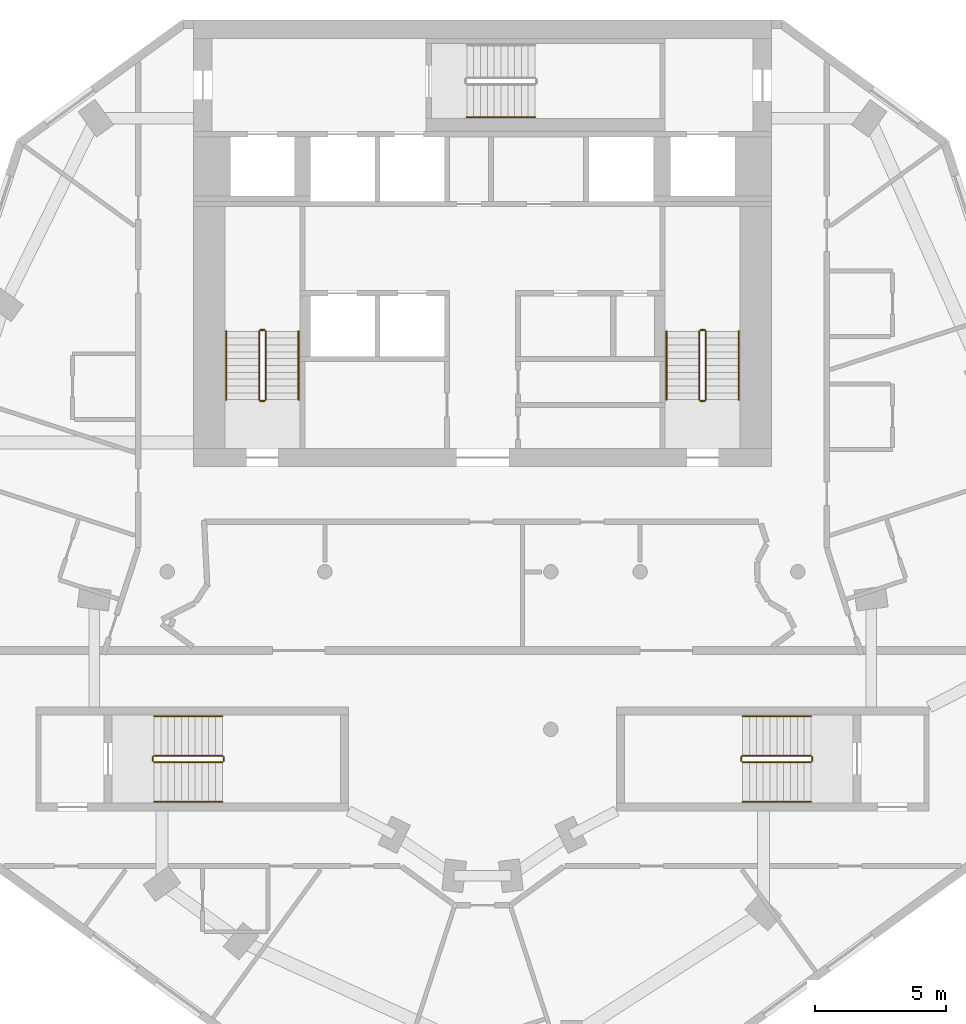
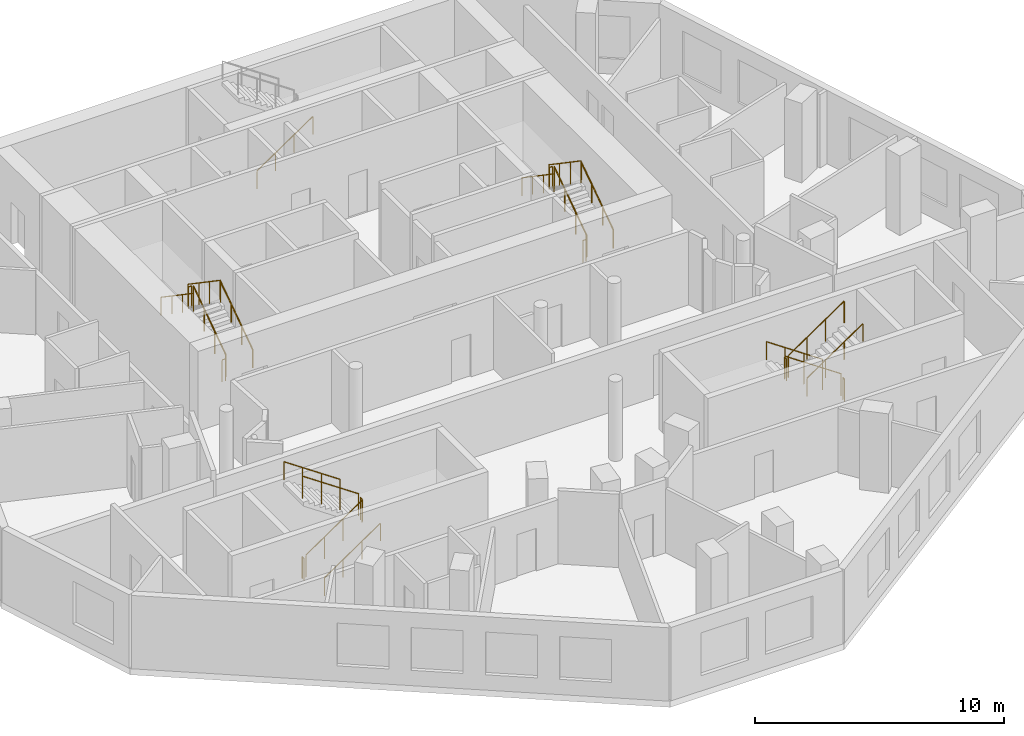
# One storey, part 8 of 9: 25 railings.
"""IFC4 building model written with IfcOpenShell, lengths in metres."""

from ifc_helpers import new_model, si_unit, direction, frame, origin, origin_2d, place, context, subcontext, project, spatial, circle, extrude, material, type_object, element, save


model = new_model("IFC4")

# Units and contexts
model_context = context("Model", 3, precision=1e-05, world=origin(), true_north=direction((0.0, 1.0)))
body_context = subcontext(model_context, "Body", "Model", "MODEL_VIEW")
ifc_project = project(units=[si_unit("LENGTHUNIT", "METRE"), si_unit("AREAUNIT", "SQUARE_METRE"), si_unit("VOLUMEUNIT", "CUBIC_METRE"), si_unit("PLANEANGLEUNIT", "RADIAN"), si_unit("MASSUNIT", "GRAM", prefix="KILO")], contexts=[model_context])

# Site, building, storey
site_placement = place(None, origin())
site = spatial("IfcSite", under=ifc_project, at=site_placement, CompositionType="ELEMENT")
building_placement = place(site_placement, origin())
building = spatial("IfcBuilding", under=site, at=building_placement, Name="White Candle Pilgrim Tower", CompositionType="ELEMENT")
storey_placement = place(building_placement, frame((0.0, 0.0, 256.10009765625)))
storey = spatial("IfcBuildingStorey", under=building, at=storey_placement, Name="L60", CompositionType="ELEMENT", Elevation=256.10009765625)

# Railings
ifc_material = material(Name="Stainless steel", Category="steel")
railing_type_1 = type_object("IfcRailingType", Name="Stair guard stainless steel 1100 mm", PredefinedType="GUARDRAIL", material=ifc_material)
railing_1_placement = place(storey_placement, frame((61.75, 73.550048828125, 0.17724609375)))
element("IfcRailing", 1, at=railing_1_placement, inside=storey, type_object=railing_type_1, Name="L60 ST1 stair guard 1", PredefinedType="GUARDRAIL", context=body_context, shape_type="SweptSolid", body=[
    extrude(circle(Radius=0.02392578125, at=origin_2d()), frame((0.0, 0.0, 1.076171875), z_axis=(0.0, 0.826215852431, 0.563353676824), x_axis=(-1.0, 0.0, 0.0)), (0.0, 0.0, 1.0), 3.146728515625),
    extrude(circle(Radius=0.02099609375, at=origin_2d()), origin(), (0.0, 0.0, 1.0), 1.052001953125),
    extrude(circle(Radius=0.02099609375, at=origin_2d()), frame((0.0, 0.86669921875, 0.5908203125)), (0.0, 0.0, 1.0), 1.052001953125),
    extrude(circle(Radius=0.02099609375, at=origin_2d()), frame((0.0, 1.733154296875, 1.181884765625)), (0.0, 0.0, 1.0), 1.052001953125),
    extrude(circle(Radius=0.02099609375, at=origin_2d()), frame((0.0, 2.599853515625, 1.772705078125)), (0.0, 0.0, 1.0), 1.052001953125),
])
railing_2_placement = place(storey_placement, frame((61.699951171875, 76.199951171875, 1.949951171875)))
element("IfcRailing", 2, at=railing_2_placement, inside=storey, type_object=railing_type_1, Name="L60 ST1 stair guard 2", PredefinedType="GUARDRAIL", context=body_context, shape_type="SweptSolid", body=[
    extrude(circle(Radius=0.02392578125, at=origin_2d()), frame((0.0, 0.0, 1.076171875), z_axis=(-1.0, 0.0, 0.0), x_axis=(0.0, -1.0, 0.0)), (0.0, 0.0, 1.0), 0.14990234375),
    extrude(circle(Radius=0.02099609375, at=origin_2d()), origin(), (0.0, 0.0, 1.0), 1.052001953125),
    extrude(circle(Radius=0.02099609375, at=origin_2d()), frame((-0.14990234375, 0.0, 0.0)), (0.0, 0.0, 1.0), 1.052001953125),
])
railing_3_placement = place(storey_placement, frame((61.5, 76.14990234375, 2.127197265625)))
element("IfcRailing", 3, at=railing_3_placement, inside=storey, type_object=railing_type_1, Name="L60 ST1 stair guard 3", PredefinedType="GUARDRAIL", context=body_context, shape_type="SweptSolid", body=[
    extrude(circle(Radius=0.02392578125, at=origin_2d()), frame((0.0, 0.0, 1.076171875), z_axis=(0.0, -0.826215852431, 0.563353676824), x_axis=(1.0, 0.0, 0.0)), (0.0, 0.0, 1.0), 3.146728515625),
    extrude(circle(Radius=0.02099609375, at=origin_2d()), origin(), (0.0, 0.0, 1.0), 1.052001953125),
    extrude(circle(Radius=0.02099609375, at=origin_2d()), frame((0.0, -0.86669921875, 0.5908203125)), (0.0, 0.0, 1.0), 1.052001953125),
    extrude(circle(Radius=0.02099609375, at=origin_2d()), frame((0.0, -1.733154296875, 1.181884765625)), (0.0, 0.0, 1.0), 1.052001953125),
    extrude(circle(Radius=0.02099609375, at=origin_2d()), frame((0.0, -2.599853515625, 1.772705078125)), (0.0, 0.0, 1.0), 1.052001953125),
])
railing_4_placement = place(storey_placement, frame((61.699951171875, 73.5, 0.0)))
element("IfcRailing", 4, at=railing_4_placement, inside=storey, type_object=railing_type_1, Name="L60 ST1 stair guard 4", PredefinedType="GUARDRAIL", context=body_context, shape_type="SweptSolid", body=[
    extrude(circle(Radius=0.02392578125, at=origin_2d()), frame((0.0, 0.0, 1.076171875), z_axis=(-1.0, 0.0, 0.0), x_axis=(0.0, -1.0, 0.0)), (0.0, 0.0, 1.0), 0.14990234375),
    extrude(circle(Radius=0.02099609375, at=origin_2d()), origin(), (0.0, 0.0, 1.0), 1.052001953125),
    extrude(circle(Radius=0.02099609375, at=origin_2d()), frame((-0.14990234375, 0.0, 0.0)), (0.0, 0.0, 1.0), 1.052001953125),
])
railing_5_placement = place(storey_placement, frame((78.5, 73.550048828125, 0.17724609375)))
element("IfcRailing", 5, at=railing_5_placement, inside=storey, type_object=railing_type_1, Name="L60 ST2 stair guard 1", PredefinedType="GUARDRAIL", context=body_context, shape_type="SweptSolid", body=[
    extrude(circle(Radius=0.02392578125, at=origin_2d()), frame((0.0, 0.0, 1.076171875), z_axis=(0.0, 0.826215852431, 0.563353676824), x_axis=(-1.0, 0.0, 0.0)), (0.0, 0.0, 1.0), 3.146728515625),
    extrude(circle(Radius=0.02099609375, at=origin_2d()), origin(), (0.0, 0.0, 1.0), 1.052001953125),
    extrude(circle(Radius=0.02099609375, at=origin_2d()), frame((0.0, 0.86669921875, 0.5908203125)), (0.0, 0.0, 1.0), 1.052001953125),
    extrude(circle(Radius=0.02099609375, at=origin_2d()), frame((0.0, 1.733154296875, 1.181884765625)), (0.0, 0.0, 1.0), 1.052001953125),
    extrude(circle(Radius=0.02099609375, at=origin_2d()), frame((0.0, 2.599853515625, 1.772705078125)), (0.0, 0.0, 1.0), 1.052001953125),
])
railing_6_placement = place(storey_placement, frame((78.449951171875, 76.199951171875, 1.949951171875)))
element("IfcRailing", 6, at=railing_6_placement, inside=storey, type_object=railing_type_1, Name="L60 ST2 stair guard 2", PredefinedType="GUARDRAIL", context=body_context, shape_type="SweptSolid", body=[
    extrude(circle(Radius=0.02392578125, at=origin_2d()), frame((0.0, 0.0, 1.076171875), z_axis=(-1.0, 0.0, 0.0), x_axis=(0.0, -1.0, 0.0)), (0.0, 0.0, 1.0), 0.14990234375),
    extrude(circle(Radius=0.02099609375, at=origin_2d()), origin(), (0.0, 0.0, 1.0), 1.052001953125),
    extrude(circle(Radius=0.02099609375, at=origin_2d()), frame((-0.14990234375, 0.0, 0.0)), (0.0, 0.0, 1.0), 1.052001953125),
])
railing_7_placement = place(storey_placement, frame((78.25, 76.14990234375, 2.127197265625)))
element("IfcRailing", 7, at=railing_7_placement, inside=storey, type_object=railing_type_1, Name="L60 ST2 stair guard 3", PredefinedType="GUARDRAIL", context=body_context, shape_type="SweptSolid", body=[
    extrude(circle(Radius=0.02392578125, at=origin_2d()), frame((0.0, 0.0, 1.076171875), z_axis=(0.0, -0.826215852431, 0.563353676824), x_axis=(1.0, 0.0, 0.0)), (0.0, 0.0, 1.0), 3.146728515625),
    extrude(circle(Radius=0.02099609375, at=origin_2d()), origin(), (0.0, 0.0, 1.0), 1.052001953125),
    extrude(circle(Radius=0.02099609375, at=origin_2d()), frame((0.0, -0.86669921875, 0.5908203125)), (0.0, 0.0, 1.0), 1.052001953125),
    extrude(circle(Radius=0.02099609375, at=origin_2d()), frame((0.0, -1.733154296875, 1.181884765625)), (0.0, 0.0, 1.0), 1.052001953125),
    extrude(circle(Radius=0.02099609375, at=origin_2d()), frame((0.0, -2.599853515625, 1.772705078125)), (0.0, 0.0, 1.0), 1.052001953125),
])
railing_8_placement = place(storey_placement, frame((78.449951171875, 73.5, 0.0)))
element("IfcRailing", 8, at=railing_8_placement, inside=storey, type_object=railing_type_1, Name="L60 ST2 stair guard 4", PredefinedType="GUARDRAIL", context=body_context, shape_type="SweptSolid", body=[
    extrude(circle(Radius=0.02392578125, at=origin_2d()), frame((0.0, 0.0, 1.076171875), z_axis=(-1.0, 0.0, 0.0), x_axis=(0.0, -1.0, 0.0)), (0.0, 0.0, 1.0), 0.14990234375),
    extrude(circle(Radius=0.02099609375, at=origin_2d()), origin(), (0.0, 0.0, 1.0), 1.052001953125),
    extrude(circle(Radius=0.02099609375, at=origin_2d()), frame((-0.14990234375, 0.0, 0.0)), (0.0, 0.0, 1.0), 1.052001953125),
])
railing_9_placement = place(storey_placement, frame((82.5, 60.0, 0.17724609375)))
element("IfcRailing", 9, at=railing_9_placement, inside=storey, type_object=railing_type_1, Name="L60 ST4 stair guard 1", PredefinedType="GUARDRAIL", context=body_context, shape_type="SweptSolid", body=[
    extrude(circle(Radius=0.02392578125, at=origin_2d()), frame((0.0, 0.0, 1.076171875), z_axis=(-0.826240473404, 0.0, 0.563317565952), x_axis=(0.0, -1.0, 0.0)), (0.0, 0.0, 1.0), 3.14697265625),
    extrude(circle(Radius=0.02099609375, at=origin_2d()), origin(), (0.0, 0.0, 1.0), 1.052001953125),
    extrude(circle(Radius=0.02099609375, at=origin_2d()), frame((-0.86669921875, 0.0, 0.5908203125)), (0.0, 0.0, 1.0), 1.052001953125),
    extrude(circle(Radius=0.02099609375, at=origin_2d()), frame((-1.7333984375, 0.0, 1.181884765625)), (0.0, 0.0, 1.0), 1.052001953125),
    extrude(circle(Radius=0.02099609375, at=origin_2d()), frame((-2.60009765625, 0.0, 1.772705078125)), (0.0, 0.0, 1.0), 1.052001953125),
])
railing_10_placement = place(storey_placement, frame((79.85009765625, 59.949951171875, 1.949951171875)))
element("IfcRailing", 10, at=railing_10_placement, inside=storey, type_object=railing_type_1, Name="L60 ST4 stair guard 2", PredefinedType="GUARDRAIL", context=body_context, shape_type="SweptSolid", body=[
    extrude(circle(Radius=0.02392578125, at=origin_2d()), frame((0.0, 0.0, 1.076171875), z_axis=(0.0, -1.0, 0.0), x_axis=(1.0, 0.0, 0.0)), (0.0, 0.0, 1.0), 0.14990234375),
    extrude(circle(Radius=0.02099609375, at=origin_2d()), origin(), (0.0, 0.0, 1.0), 1.052001953125),
    extrude(circle(Radius=0.02099609375, at=origin_2d()), frame((0.0, -0.14990234375, 0.0)), (0.0, 0.0, 1.0), 1.052001953125),
])
railing_11_placement = place(storey_placement, frame((79.89990234375, 59.75, 2.127197265625)))
element("IfcRailing", 11, at=railing_11_placement, inside=storey, type_object=railing_type_1, Name="L60 ST4 stair guard 3", PredefinedType="GUARDRAIL", context=body_context, shape_type="SweptSolid", body=[
    extrude(circle(Radius=0.02392578125, at=origin_2d()), frame((0.0, 0.0, 1.076171875), z_axis=(0.826240473404, 0.0, 0.563317565952), x_axis=(0.0, 1.0, 0.0)), (0.0, 0.0, 1.0), 3.14697265625),
    extrude(circle(Radius=0.02099609375, at=origin_2d()), origin(), (0.0, 0.0, 1.0), 1.052001953125),
    extrude(circle(Radius=0.02099609375, at=origin_2d()), frame((0.86669921875, 0.0, 0.5908203125)), (0.0, 0.0, 1.0), 1.052001953125),
    extrude(circle(Radius=0.02099609375, at=origin_2d()), frame((1.7333984375, 0.0, 1.181884765625)), (0.0, 0.0, 1.0), 1.052001953125),
    extrude(circle(Radius=0.02099609375, at=origin_2d()), frame((2.60009765625, 0.0, 1.772705078125)), (0.0, 0.0, 1.0), 1.052001953125),
])
railing_12_placement = place(storey_placement, frame((82.550048828125, 59.949951171875, 0.0)))
element("IfcRailing", 12, at=railing_12_placement, inside=storey, type_object=railing_type_1, Name="L60 ST4 stair guard 4", PredefinedType="GUARDRAIL", context=body_context, shape_type="SweptSolid", body=[
    extrude(circle(Radius=0.02392578125, at=origin_2d()), frame((0.0, 0.0, 1.076171875), z_axis=(0.0, -1.0, 0.0), x_axis=(1.0, 0.0, 0.0)), (0.0, 0.0, 1.0), 0.14990234375),
    extrude(circle(Radius=0.02099609375, at=origin_2d()), origin(), (0.0, 0.0, 1.0), 1.052001953125),
    extrude(circle(Radius=0.02099609375, at=origin_2d()), frame((0.0, -0.14990234375, 0.0)), (0.0, 0.0, 1.0), 1.052001953125),
])
railing_13_placement = place(storey_placement, frame((57.5, 59.75, 0.17724609375)))
element("IfcRailing", 13, at=railing_13_placement, inside=storey, type_object=railing_type_1, Name="L60 ST5 stair guard 1", PredefinedType="GUARDRAIL", context=body_context, shape_type="SweptSolid", body=[
    extrude(circle(Radius=0.02392578125, at=origin_2d()), frame((0.0, 0.0, 1.076171875), z_axis=(0.826240473404, 0.0, 0.563317565952), x_axis=(0.0, 1.0, 0.0)), (0.0, 0.0, 1.0), 3.14697265625),
    extrude(circle(Radius=0.02099609375, at=origin_2d()), origin(), (0.0, 0.0, 1.0), 1.052001953125),
    extrude(circle(Radius=0.02099609375, at=origin_2d()), frame((0.86669921875, 0.0, 0.5908203125)), (0.0, 0.0, 1.0), 1.052001953125),
    extrude(circle(Radius=0.02099609375, at=origin_2d()), frame((1.7333984375, 0.0, 1.181884765625)), (0.0, 0.0, 1.0), 1.052001953125),
    extrude(circle(Radius=0.02099609375, at=origin_2d()), frame((2.60009765625, 0.0, 1.772705078125)), (0.0, 0.0, 1.0), 1.052001953125),
])
railing_14_placement = place(storey_placement, frame((60.14990234375, 59.800048828125, 1.949951171875)))
element("IfcRailing", 14, at=railing_14_placement, inside=storey, type_object=railing_type_1, Name="L60 ST5 stair guard 2", PredefinedType="GUARDRAIL", context=body_context, shape_type="SweptSolid", body=[
    extrude(circle(Radius=0.02392578125, at=origin_2d()), frame((0.0, 0.0, 1.076171875), z_axis=(0.0, 1.0, 0.0), x_axis=(-1.0, 0.0, 0.0)), (0.0, 0.0, 1.0), 0.14990234375),
    extrude(circle(Radius=0.02099609375, at=origin_2d()), origin(), (0.0, 0.0, 1.0), 1.052001953125),
    extrude(circle(Radius=0.02099609375, at=origin_2d()), frame((0.0, 0.14990234375, 0.0)), (0.0, 0.0, 1.0), 1.052001953125),
])
railing_15_placement = place(storey_placement, frame((60.10009765625, 60.0, 2.127197265625)))
element("IfcRailing", 15, at=railing_15_placement, inside=storey, type_object=railing_type_1, Name="L60 ST5 stair guard 3", PredefinedType="GUARDRAIL", context=body_context, shape_type="SweptSolid", body=[
    extrude(circle(Radius=0.02392578125, at=origin_2d()), frame((0.0, 0.0, 1.076171875), z_axis=(-0.826240473404, 0.0, 0.563317565952), x_axis=(0.0, -1.0, 0.0)), (0.0, 0.0, 1.0), 3.14697265625),
    extrude(circle(Radius=0.02099609375, at=origin_2d()), origin(), (0.0, 0.0, 1.0), 1.052001953125),
    extrude(circle(Radius=0.02099609375, at=origin_2d()), frame((-0.86669921875, 0.0, 0.5908203125)), (0.0, 0.0, 1.0), 1.052001953125),
    extrude(circle(Radius=0.02099609375, at=origin_2d()), frame((-1.7333984375, 0.0, 1.181884765625)), (0.0, 0.0, 1.0), 1.052001953125),
    extrude(circle(Radius=0.02099609375, at=origin_2d()), frame((-2.60009765625, 0.0, 1.772705078125)), (0.0, 0.0, 1.0), 1.052001953125),
])
railing_16_placement = place(storey_placement, frame((57.449951171875, 59.800048828125, 0.0)))
element("IfcRailing", 16, at=railing_16_placement, inside=storey, type_object=railing_type_1, Name="L60 ST5 stair guard 4", PredefinedType="GUARDRAIL", context=body_context, shape_type="SweptSolid", body=[
    extrude(circle(Radius=0.02392578125, at=origin_2d()), frame((0.0, 0.0, 1.076171875), z_axis=(0.0, 1.0, 0.0), x_axis=(-1.0, 0.0, 0.0)), (0.0, 0.0, 1.0), 0.14990234375),
    extrude(circle(Radius=0.02099609375, at=origin_2d()), origin(), (0.0, 0.0, 1.0), 1.052001953125),
    extrude(circle(Radius=0.02099609375, at=origin_2d()), frame((0.0, 0.14990234375, 0.0)), (0.0, 0.0, 1.0), 1.052001953125),
])
railing_type_2 = type_object("IfcRailingType", Name="Stair handrail stainless steel", PredefinedType="HANDRAIL", material=ifc_material)
railing_17_placement = place(storey_placement, frame((63.0, 73.550048828125, 0.17724609375)))
element("IfcRailing", 17, at=railing_17_placement, inside=storey, type_object=railing_type_2, Name="L60 ST1 stair handrail 1", PredefinedType="HANDRAIL", context=body_context, shape_type="SweptSolid", body=[
    extrude(circle(Radius=0.02392578125, at=origin_2d()), frame((0.0, 0.0, 0.8759765625), z_axis=(0.0, 0.826215852431, 0.563353676824), x_axis=(-1.0, 0.0, 0.0)), (0.0, 0.0, 1.0), 3.146728515625),
    extrude(circle(Radius=0.02099609375, at=origin_2d()), origin(), (0.0, 0.0, 1.0), 0.851806640625),
    extrude(circle(Radius=0.02099609375, at=origin_2d()), frame((0.0, 0.86669921875, 0.5908203125)), (0.0, 0.0, 1.0), 0.851806640625),
    extrude(circle(Radius=0.02099609375, at=origin_2d()), frame((0.0, 1.733154296875, 1.181884765625)), (0.0, 0.0, 1.0), 0.851806640625),
    extrude(circle(Radius=0.02099609375, at=origin_2d()), frame((0.0, 2.599853515625, 1.772705078125)), (0.0, 0.0, 1.0), 0.851806640625),
])
railing_18_placement = place(storey_placement, frame((60.25, 76.14990234375, 2.127197265625)))
element("IfcRailing", 18, at=railing_18_placement, inside=storey, type_object=railing_type_2, Name="L60 ST1 stair handrail 2", PredefinedType="HANDRAIL", context=body_context, shape_type="SweptSolid", body=[
    extrude(circle(Radius=0.02392578125, at=origin_2d()), frame((0.0, 0.0, 0.8759765625), z_axis=(0.0, -0.826215852431, 0.563353676824), x_axis=(1.0, 0.0, 0.0)), (0.0, 0.0, 1.0), 3.146728515625),
    extrude(circle(Radius=0.02099609375, at=origin_2d()), origin(), (0.0, 0.0, 1.0), 0.851806640625),
    extrude(circle(Radius=0.02099609375, at=origin_2d()), frame((0.0, -0.86669921875, 0.5908203125)), (0.0, 0.0, 1.0), 0.851806640625),
    extrude(circle(Radius=0.02099609375, at=origin_2d()), frame((0.0, -1.733154296875, 1.181884765625)), (0.0, 0.0, 1.0), 0.851806640625),
    extrude(circle(Radius=0.02099609375, at=origin_2d()), frame((0.0, -2.599853515625, 1.772705078125)), (0.0, 0.0, 1.0), 0.851806640625),
])
railing_19_placement = place(storey_placement, frame((79.75, 73.550048828125, 0.17724609375)))
element("IfcRailing", 19, at=railing_19_placement, inside=storey, type_object=railing_type_2, Name="L60 ST2 stair handrail 1", PredefinedType="HANDRAIL", context=body_context, shape_type="SweptSolid", body=[
    extrude(circle(Radius=0.02392578125, at=origin_2d()), frame((0.0, 0.0, 0.8759765625), z_axis=(0.0, 0.826215852431, 0.563353676824), x_axis=(-1.0, 0.0, 0.0)), (0.0, 0.0, 1.0), 3.146728515625),
    extrude(circle(Radius=0.02099609375, at=origin_2d()), origin(), (0.0, 0.0, 1.0), 0.851806640625),
    extrude(circle(Radius=0.02099609375, at=origin_2d()), frame((0.0, 0.86669921875, 0.5908203125)), (0.0, 0.0, 1.0), 0.851806640625),
    extrude(circle(Radius=0.02099609375, at=origin_2d()), frame((0.0, 1.733154296875, 1.181884765625)), (0.0, 0.0, 1.0), 0.851806640625),
    extrude(circle(Radius=0.02099609375, at=origin_2d()), frame((0.0, 2.599853515625, 1.772705078125)), (0.0, 0.0, 1.0), 0.851806640625),
])
railing_20_placement = place(storey_placement, frame((77.0, 76.14990234375, 2.127197265625)))
element("IfcRailing", 20, at=railing_20_placement, inside=storey, type_object=railing_type_2, Name="L60 ST2 stair handrail 2", PredefinedType="HANDRAIL", context=body_context, shape_type="SweptSolid", body=[
    extrude(circle(Radius=0.02392578125, at=origin_2d()), frame((0.0, 0.0, 0.8759765625), z_axis=(0.0, -0.826215852431, 0.563353676824), x_axis=(1.0, 0.0, 0.0)), (0.0, 0.0, 1.0), 3.146728515625),
    extrude(circle(Radius=0.02099609375, at=origin_2d()), origin(), (0.0, 0.0, 1.0), 0.851806640625),
    extrude(circle(Radius=0.02099609375, at=origin_2d()), frame((0.0, -0.86669921875, 0.5908203125)), (0.0, 0.0, 1.0), 0.851806640625),
    extrude(circle(Radius=0.02099609375, at=origin_2d()), frame((0.0, -1.733154296875, 1.181884765625)), (0.0, 0.0, 1.0), 0.851806640625),
    extrude(circle(Radius=0.02099609375, at=origin_2d()), frame((0.0, -2.599853515625, 1.772705078125)), (0.0, 0.0, 1.0), 0.851806640625),
])
railing_21_placement = place(storey_placement, frame((69.39990234375, 84.300048828125, 0.17724609375)))
element("IfcRailing", 21, at=railing_21_placement, inside=storey, type_object=railing_type_2, Name="L60 ST3 stair handrail 1", PredefinedType="HANDRAIL", context=body_context, shape_type="SweptSolid", body=[
    extrude(circle(Radius=0.02392578125, at=origin_2d()), frame((0.0, 0.0, 0.8759765625), z_axis=(0.826240473404, 0.0, 0.563317565952), x_axis=(0.0, 1.0, 0.0)), (0.0, 0.0, 1.0), 3.14697265625),
    extrude(circle(Radius=0.02099609375, at=origin_2d()), origin(), (0.0, 0.0, 1.0), 0.851806640625),
    extrude(circle(Radius=0.02099609375, at=origin_2d()), frame((0.86669921875, 0.0, 0.5908203125)), (0.0, 0.0, 1.0), 0.851806640625),
    extrude(circle(Radius=0.02099609375, at=origin_2d()), frame((1.7333984375, 0.0, 1.181884765625)), (0.0, 0.0, 1.0), 0.851806640625),
    extrude(circle(Radius=0.02099609375, at=origin_2d()), frame((2.60009765625, 0.0, 1.772705078125)), (0.0, 0.0, 1.0), 0.851806640625),
])
railing_22_placement = place(storey_placement, frame((82.5, 61.5, 0.17724609375)))
element("IfcRailing", 22, at=railing_22_placement, inside=storey, type_object=railing_type_2, Name="L60 ST4 stair handrail 1", PredefinedType="HANDRAIL", context=body_context, shape_type="SweptSolid", body=[
    extrude(circle(Radius=0.02392578125, at=origin_2d()), frame((0.0, 0.0, 0.8759765625), z_axis=(-0.826240473404, 0.0, 0.563317565952), x_axis=(0.0, -1.0, 0.0)), (0.0, 0.0, 1.0), 3.14697265625),
    extrude(circle(Radius=0.02099609375, at=origin_2d()), origin(), (0.0, 0.0, 1.0), 0.851806640625),
    extrude(circle(Radius=0.02099609375, at=origin_2d()), frame((-0.86669921875, 0.0, 0.5908203125)), (0.0, 0.0, 1.0), 0.851806640625),
    extrude(circle(Radius=0.02099609375, at=origin_2d()), frame((-1.7333984375, 0.0, 1.181884765625)), (0.0, 0.0, 1.0), 0.851806640625),
    extrude(circle(Radius=0.02099609375, at=origin_2d()), frame((-2.60009765625, 0.0, 1.772705078125)), (0.0, 0.0, 1.0), 0.851806640625),
])
for number, where, name in (
    (23, (79.89990234375, 58.25, 2.127197265625), "L60 ST4 stair handrail 2"),
    (24, (57.5, 58.25, 0.17724609375), "L60 ST5 stair handrail 1"),
):
    element("IfcRailing", number, at=place(storey_placement, frame(where)), inside=storey, type_object=railing_type_2, Name=name, PredefinedType="HANDRAIL", context=body_context, shape_type="SweptSolid", body=[
        extrude(circle(Radius=0.02392578125, at=origin_2d()), frame((0.0, 0.0, 0.8759765625), z_axis=(0.826240473404, 0.0, 0.563317565952), x_axis=(0.0, 1.0, 0.0)), (0.0, 0.0, 1.0), 3.14697265625),
        extrude(circle(Radius=0.02099609375, at=origin_2d()), origin(), (0.0, 0.0, 1.0), 0.851806640625),
        extrude(circle(Radius=0.02099609375, at=origin_2d()), frame((0.86669921875, 0.0, 0.5908203125)), (0.0, 0.0, 1.0), 0.851806640625),
        extrude(circle(Radius=0.02099609375, at=origin_2d()), frame((1.7333984375, 0.0, 1.181884765625)), (0.0, 0.0, 1.0), 0.851806640625),
        extrude(circle(Radius=0.02099609375, at=origin_2d()), frame((2.60009765625, 0.0, 1.772705078125)), (0.0, 0.0, 1.0), 0.851806640625),
    ])
railing_23_placement = place(storey_placement, frame((60.10009765625, 61.5, 2.127197265625)))
element("IfcRailing", 25, at=railing_23_placement, inside=storey, type_object=railing_type_2, Name="L60 ST5 stair handrail 2", PredefinedType="HANDRAIL", context=body_context, shape_type="SweptSolid", body=[
    extrude(circle(Radius=0.02392578125, at=origin_2d()), frame((0.0, 0.0, 0.8759765625), z_axis=(-0.826240473404, 0.0, 0.563317565952), x_axis=(0.0, -1.0, 0.0)), (0.0, 0.0, 1.0), 3.14697265625),
    extrude(circle(Radius=0.02099609375, at=origin_2d()), origin(), (0.0, 0.0, 1.0), 0.851806640625),
    extrude(circle(Radius=0.02099609375, at=origin_2d()), frame((-0.86669921875, 0.0, 0.5908203125)), (0.0, 0.0, 1.0), 0.851806640625),
    extrude(circle(Radius=0.02099609375, at=origin_2d()), frame((-1.7333984375, 0.0, 1.181884765625)), (0.0, 0.0, 1.0), 0.851806640625),
    extrude(circle(Radius=0.02099609375, at=origin_2d()), frame((-2.60009765625, 0.0, 1.772705078125)), (0.0, 0.0, 1.0), 0.851806640625),
])

save(model, "model.ifc")
